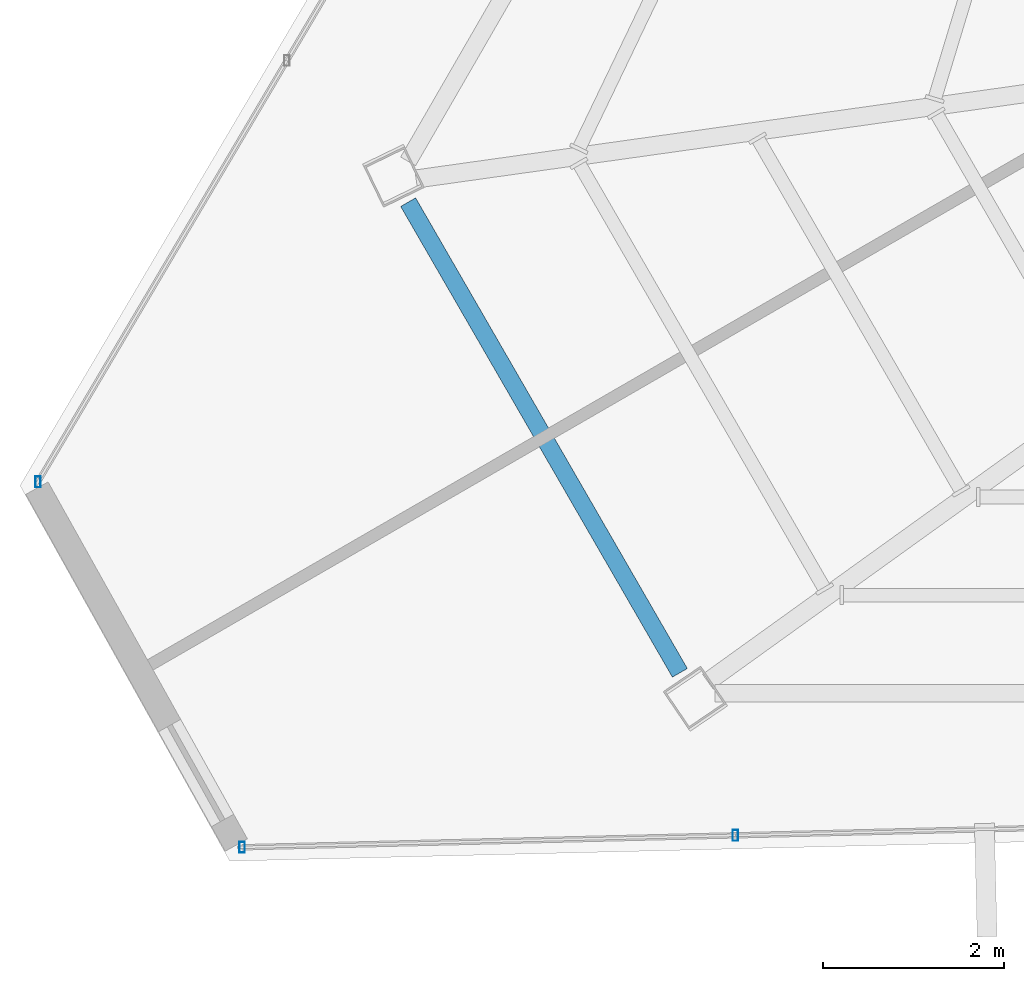
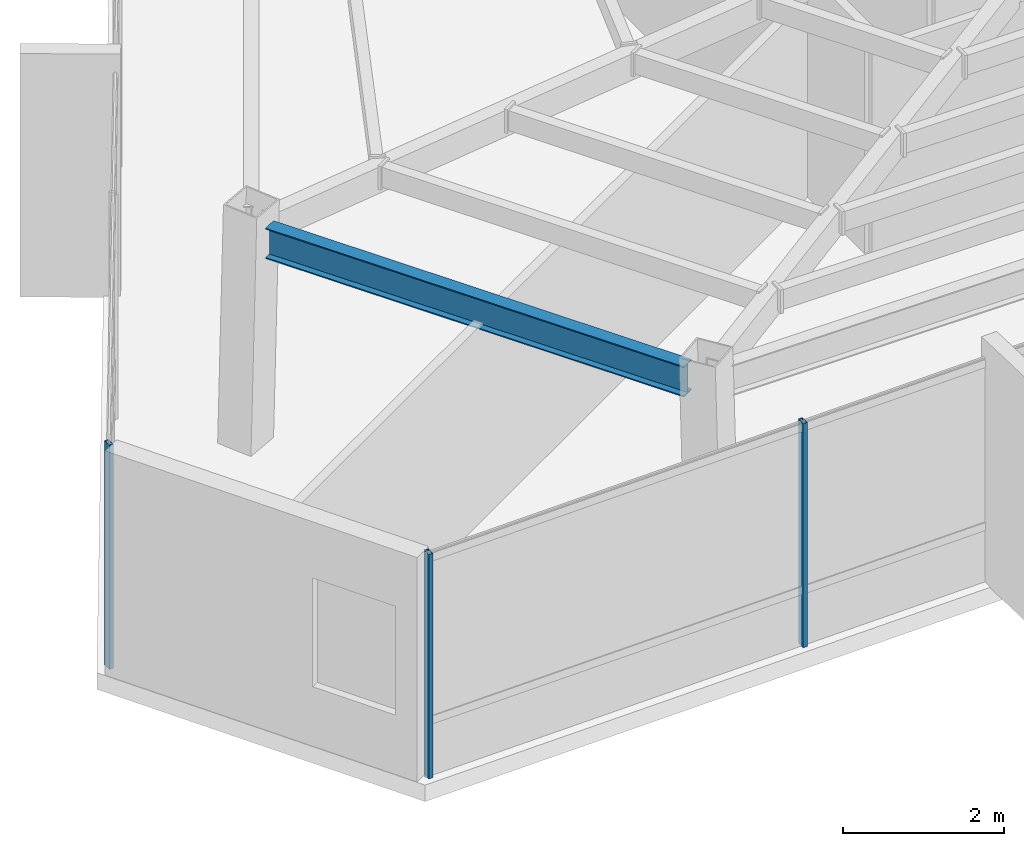
# One storey, part 3 of 48: 3 members, 1 beam, 2 elements without a shape of their own.
"""IFC4 building model written with IfcOpenShell, lengths in metres."""

import ifcopenshell
import ifcopenshell.guid

model = None  # the IFC model being written
_history = None  # IfcOwnerHistory: only IFC2X3 demands one
_inside = {}  # id of a spatial element -> (the spatial element, [elements in it])
_under = {}  # id of a project, library or spatial element -> (it, [spatial elements below it])
_declared = {}  # id of a project -> (the project, [libraries it declares])
_typed = {}  # id of a type object -> (the type object, [elements of that type])
_made_of = {}  # id of a material, layer set ... -> (it, [elements and type objects made of it])


def new_model(schema):
    """Start an empty IFC model of exactly this schema.

    Asked for "IFC4X3", IfcOpenShell would pick the latest addendum, in which some entities
    have other attributes; the version numbers below select the first issue.
    IFC2X3 requires an IfcOwnerHistory on every rooted entity: one is made here for all.
    """
    global model, _history
    if schema == "IFC4X3":
        model = ifcopenshell.file(schema_version=(4, 3, 0, 0))
    else:
        model = ifcopenshell.file(schema=schema)
    _inside.clear()
    _under.clear()
    _declared.clear()
    _typed.clear()
    _made_of.clear()
    _history = None
    if model.schema == "IFC2X3":
        org = make("IfcOrganization", Name="unknown")
        user = make(
            "IfcPersonAndOrganization",
            ThePerson=make("IfcPerson", FamilyName="unknown"),
            TheOrganization=org,
        )
        app = make(
            "IfcApplication",
            ApplicationDeveloper=org,
            Version="unknown",
            ApplicationFullName="unknown",
            ApplicationIdentifier="unknown",
        )
        _history = make(
            "IfcOwnerHistory",
            OwningUser=user,
            OwningApplication=app,
            ChangeAction="ADDED",
            CreationDate=0,
        )
    return model


def make(cls, **values):
    """One entity of the class cls with the attributes given. An attribute that is None is left unset."""
    return model.create_entity(
        cls, **{name: value for name, value in values.items() if value is not None}
    )


def rooted(cls, **values):
    """An entity with a GlobalId (a new one), such as an element, a storey or a relation."""
    return make(cls, GlobalId=ifcopenshell.guid.new(), OwnerHistory=_history, **values)


def si_unit(unit_type, name, prefix=None):
    """IfcSIUnit, for example si_unit("LENGTHUNIT", "METRE", prefix="MILLI")."""
    return make("IfcSIUnit", UnitType=unit_type, Prefix=prefix, Name=name)


def assignment(units):
    """IfcUnitAssignment: the units of a project."""
    return None if units is None else make("IfcUnitAssignment", Units=units)


def point(xyz):
    """IfcCartesianPoint."""
    return None if xyz is None else make("IfcCartesianPoint", Coordinates=xyz)


def direction(xyz):
    """IfcDirection."""
    return None if xyz is None else make("IfcDirection", DirectionRatios=xyz)


def frame(location, z_axis=None, x_axis=None):
    """IfcAxis2Placement3D, a coordinate frame: its origin and axes. An axis left out is left unset."""
    return make(
        "IfcAxis2Placement3D",
        Location=point(location),
        Axis=direction(z_axis),
        RefDirection=direction(x_axis),
    )


def frame_2d(location, x_axis=None):
    """IfcAxis2Placement2D, a coordinate frame in the plane: its origin and x axis."""
    return make(
        "IfcAxis2Placement2D", Location=point(location), RefDirection=direction(x_axis)
    )


def origin():
    """The frame at (0, 0, 0) with its axes left unset."""
    return frame((0.0, 0.0, 0.0))


def origin_2d():
    """The frame at (0, 0) in the plane with its x axis left unset."""
    return frame_2d((0.0, 0.0))


def place(relative_to, where):
    """IfcLocalPlacement: puts the frame where relative to a parent placement (None: the world)."""
    return make(
        "IfcLocalPlacement", PlacementRelTo=relative_to, RelativePlacement=where
    )


def context(
    kind, dimensions, precision=None, world=None, true_north=None, identifier=None
):
    """IfcGeometricRepresentationContext, for example the 3D "Model" context."""
    return make(
        "IfcGeometricRepresentationContext",
        ContextIdentifier=identifier,
        ContextType=kind,
        CoordinateSpaceDimension=dimensions,
        Precision=precision,
        WorldCoordinateSystem=world,
        TrueNorth=true_north,
    )


def subcontext(parent, identifier, kind, view, scale=None):
    """IfcGeometricRepresentationSubContext, for example "Body" below "Model"."""
    return make(
        "IfcGeometricRepresentationSubContext",
        ContextIdentifier=identifier,
        ContextType=kind,
        ParentContext=parent,
        TargetScale=scale,
        TargetView=view,
    )


def project(units=None, contexts=None):
    """IfcProject with its units and contexts."""
    return rooted(
        "IfcProject",
        Name="project",
        RepresentationContexts=contexts,
        UnitsInContext=assignment(units),
    )


def spatial(cls, under=None, at=None, **own):
    """A site, building, storey or space (cls), placed at a placement, below another one or the project."""
    s = rooted(cls, ObjectPlacement=at, **own)
    if under is not None:
        _under.setdefault(under.id(), (under, []))[1].append(s)
    return s


def profile(cls, at=None, kind="AREA", **sizes):
    """A parametric profile (cls). Its sizes go by their IFC names, for example OverallWidth=200.0."""
    return make(cls, ProfileType=kind, Position=at, **sizes)


def hollow_rectangle(**sizes):
    """IfcRectangleHollowProfileDef."""
    return profile("IfcRectangleHollowProfileDef", **sizes)


def i_section(**sizes):
    """IfcIShapeProfileDef."""
    return profile("IfcIShapeProfileDef", **sizes)


def extrude(swept, where, along, depth):
    """IfcExtrudedAreaSolid: the profile swept, set in the frame where, extruded along a direction by depth."""
    return make(
        "IfcExtrudedAreaSolid",
        SweptArea=swept,
        Position=where,
        ExtrudedDirection=direction(along),
        Depth=depth,
    )


def shape(context_of_items, identifier, shape_type, items):
    """IfcShapeRepresentation: the items that make up one representation, for example the "Body"."""
    return make(
        "IfcShapeRepresentation",
        ContextOfItems=context_of_items,
        RepresentationIdentifier=identifier,
        RepresentationType=shape_type,
        Items=items,
    )


def source(mapping_origin, context_of_items, identifier, shape_type, items):
    """IfcRepresentationMap: a shape defined once, which mapped items show again and again."""
    return make(
        "IfcRepresentationMap",
        MappingOrigin=mapping_origin,
        MappedRepresentation=shape(context_of_items, identifier, shape_type, items),
    )


def transform(
    local_origin,
    x_axis=None,
    y_axis=None,
    z_axis=None,
    scale=None,
    scale2=None,
    scale3=None,
    uniform=True,
):
    """IfcCartesianTransformationOperator3D, or its non-uniform kind. x_axis, y_axis, z_axis: its Axis1, 2, 3."""
    if uniform:
        return make(
            "IfcCartesianTransformationOperator3D",
            Axis1=direction(x_axis),
            Axis2=direction(y_axis),
            LocalOrigin=point(local_origin),
            Scale=scale,
            Axis3=direction(z_axis),
        )
    return make(
        "IfcCartesianTransformationOperator3DnonUniform",
        Axis1=direction(x_axis),
        Axis2=direction(y_axis),
        LocalOrigin=point(local_origin),
        Scale=scale,
        Axis3=direction(z_axis),
        Scale2=scale2,
        Scale3=scale3,
    )


def mapped(mapping_source, mapping_target):
    """IfcMappedItem: shows the shape of a source again, moved by a transform."""
    return make(
        "IfcMappedItem", MappingSource=mapping_source, MappingTarget=mapping_target
    )


def material(Name=None, Category=None):
    """IfcMaterial."""
    return make("IfcMaterial", Name=Name, Category=Category)


def material_profile(
    of_material, cross_section, Name=None, Category=None, Priority=None
):
    """IfcMaterialProfile: a cross section and its material."""
    return make(
        "IfcMaterialProfile",
        Name=Name,
        Material=of_material,
        Profile=cross_section,
        Priority=Priority,
        Category=Category,
    )


def profile_set(profiles, Name=None, composite=None):
    """IfcMaterialProfileSet."""
    return make(
        "IfcMaterialProfileSet",
        Name=Name,
        MaterialProfiles=profiles,
        CompositeProfile=composite,
    )


def made_of(thing, what):
    """Note that an element or type object is made of a material, layer set ...; save() writes the relation."""
    if what is not None:
        _made_of.setdefault(what.id(), (what, []))[1].append(thing)
    return thing


def type_object(cls, material=None, **own):
    """A type object (cls), such as IfcWallType, which elements share."""
    return made_of(rooted(cls, **own), material)


def type_shapes(of_type, sources):
    """Give a type object the sources (RepresentationMaps) that its elements show as mapped items."""
    of_type.RepresentationMaps = sources


def element(
    cls,
    number,
    at=None,
    inside=None,
    cuts=None,
    type_object=None,
    material=None,
    context=None,
    identifier="Body",
    shape_type=None,
    held_by="IfcProductDefinitionShape",
    body=None,
    shapes=None,
    **own,
):
    """One element of the class cls, such as IfcWall. Its Tag is "e" and its number.

    at: its placement. inside: the storey or other place that contains it. cuts: it is an
    opening in that element (IfcRelVoidsElement). A single representation is given by context,
    identifier, shape_type and body (its items); several are given by shapes. held_by: the class
    of the entity that holds the representations. save() writes the other relations.
    """
    e = rooted(cls, Tag="e%d" % number, ObjectPlacement=at, **own)
    if body is not None:
        shapes = [shape(context, identifier, shape_type, body)]
    if shapes is not None:
        e.Representation = make(held_by, Representations=shapes)
    if inside is not None:
        _inside.setdefault(inside.id(), (inside, []))[1].append(e)
    if cuts is not None:
        rooted(
            "IfcRelVoidsElement", RelatingBuildingElement=cuts, RelatedOpeningElement=e
        )
    if type_object is not None:
        _typed.setdefault(type_object.id(), (type_object, []))[1].append(e)
    return made_of(e, material)


def aggregate(whole, parts):
    """IfcRelAggregates: a whole, such as a stair, and the parts it consists of."""
    return rooted("IfcRelAggregates", RelatingObject=whole, RelatedObjects=parts)


def save(model, path):
    """Write the relations noted so far, then the file.

    IfcRelAggregates (storeys below a building ...), IfcRelContainedInSpatialStructure (elements
    in a storey), IfcRelDefinesByType, IfcRelAssociatesMaterial and IfcRelDeclares: one each for
    every whole, place, type object, material and project.
    """
    for whole, parts in _under.values():
        aggregate(whole, parts)
    for where, things in _inside.values():
        rooted(
            "IfcRelContainedInSpatialStructure",
            RelatedElements=things,
            RelatingStructure=where,
        )
    for kind, things in _typed.values():
        rooted("IfcRelDefinesByType", RelatedObjects=things, RelatingType=kind)
    for what, things in _made_of.values():
        rooted("IfcRelAssociatesMaterial", RelatedObjects=things, RelatingMaterial=what)
    for by, libraries in _declared.values():
        rooted("IfcRelDeclares", RelatingContext=by, RelatedDefinitions=libraries)
    model.write(path)


model = new_model("IFC4")

# Units and contexts
model_context = context("Model", 3, precision=1e-05, world=origin(), true_north=direction((0.0, 1.0)))
body_context = subcontext(model_context, "Body", "Model", "MODEL_VIEW")
ifc_project = project(units=[si_unit("LENGTHUNIT", "METRE"), si_unit("AREAUNIT", "SQUARE_METRE"), si_unit("VOLUMEUNIT", "CUBIC_METRE"), si_unit("PLANEANGLEUNIT", "RADIAN"), si_unit("MASSUNIT", "GRAM", prefix="KILO")], contexts=[model_context])

# Site, building, storey
site_placement = place(None, origin())
site = spatial("IfcSite", under=ifc_project, at=site_placement, CompositionType="ELEMENT")
building_placement = place(site_placement, origin())
building = spatial("IfcBuilding", under=site, at=building_placement, Name="Caelisora Broadcast Tower", CompositionType="ELEMENT")
storey_placement = place(building_placement, frame((0.0, 0.0, 277.300048828125)))
storey = spatial("IfcBuildingStorey", under=building, at=storey_placement, Name="L73", CompositionType="ELEMENT", Elevation=277.300048828125)

# Beam
ifc_material_1 = material(Name="Steel Grade 350 (AS/NZS 3679.1)", Category="steel")
ifc_material_profile_1 = material_profile(ifc_material_1, i_section(OverallWidth=0.19091796875, OverallDepth=0.46044921875, WebThickness=0.010009765625, FlangeThickness=0.01611328125, at=origin_2d()), Name="Steel Grade 350 (AS/NZS 3679.1)")
ifc_profile_set_1 = profile_set([ifc_material_profile_1], Name="Steel Grade 350 (AS/NZS 3679.1)")
beam_type = type_object("IfcBeamType", Name="PG06", PredefinedType="BEAM", material=ifc_profile_set_1)
shared_shape_1 = source(origin(), body_context, "Body", "SweptSolid", [
    extrude(i_section(OverallWidth=0.19091796875, OverallDepth=0.46044921875, WebThickness=0.010009765625, FlangeThickness=0.01611328125, at=origin_2d()), origin(), (0.0, 0.0, 1.0), 5.9990234375),
])
type_shapes(beam_type, [shared_shape_1])
beam_placement = place(storey_placement, frame((16.825927734375, 15.23876953125, 3.169677734375), z_axis=(0.499999580976, -0.866025645708, 0.0), x_axis=(0.866025645708, 0.499999580976, 0.0)))
element("IfcBeam", 1, at=beam_placement, inside=storey, type_object=beam_type, Name="L73 beam PG06", PredefinedType="BEAM", context=body_context, shape_type="MappedRepresentation", body=[
    mapped(shared_shape_1, transform((0.0, 0.0, 0.0), scale=1.0)),
])

# Curtain wall, members
ifc_material_2 = material(Name="Unitised Aluminium and Low-E Glass Curtain Wall", Category="glass")
curtain_wall_type = type_object("IfcCurtainWallType", Name="CW-Z5", PredefinedType="NOTDEFINED", material=ifc_material_2)
curtain_wall_1_placement = place(storey_placement, origin())
curtain_wall_1 = element("IfcCurtainWall", 2, at=curtain_wall_1_placement, inside=storey, type_object=curtain_wall_type, Name="L73 curtain wall CW-Z5", PredefinedType="NOTDEFINED")
ifc_material_3 = material(Name="Aluminium 6063-T6 Anodised Terracotta Bronze", Category="aluminium")
ifc_material_profile_2 = material_profile(ifc_material_3, hollow_rectangle(XDim=0.06005859375, YDim=0.1201171875, WallThickness=0.0029296875, at=origin_2d()), Name="Aluminium 6063-T6 Anodised Terracotta Bronze")
ifc_profile_set_2 = profile_set([ifc_material_profile_2], Name="Aluminium 6063-T6 Anodised Terracotta Bronze")
member_type = type_object("IfcMemberType", Name="CWM-04", PredefinedType="MULLION", material=ifc_profile_set_2)
shared_shape_2 = source(origin(), body_context, "Body", "SweptSolid", [
    extrude(hollow_rectangle(XDim=0.06005859375, YDim=0.1201171875, WallThickness=0.0029296875, at=origin_2d()), origin(), (0.0, 0.0, 1.0), 3.39990234375),
])
type_shapes(member_type, [shared_shape_2])
member_1_placement = place(storey_placement, frame((20.43798828125, 8.25, 0.0), z_axis=(0.0, 0.0, 1.0), x_axis=(1.0, 0.0, 0.0)))
member_1 = element("IfcMember", 3, at=member_1_placement, type_object=member_type, Name="L73-CW-B07 mullion #2", PredefinedType="MULLION", context=body_context, shape_type="MappedRepresentation", body=[
    mapped(shared_shape_2, transform((0.0, 0.0, 0.0), scale=1.0)),
])
member_2_placement = place(storey_placement, frame((14.993896484375, 8.1181640625, 0.0), z_axis=(0.0, 0.0, 1.0), x_axis=(1.0, 0.0, 0.0)))
member_2 = element("IfcMember", 4, at=member_2_placement, type_object=member_type, Name="L73-CW-B07 mullion #3", PredefinedType="MULLION", context=body_context, shape_type="MappedRepresentation", body=[
    mapped(shared_shape_2, transform((0.0, 0.0, 0.0), scale=1.0)),
])
aggregate(curtain_wall_1, [member_1, member_2])

# Curtain wall, member
curtain_wall_2_placement = place(storey_placement, origin())
curtain_wall_2 = element("IfcCurtainWall", 5, at=curtain_wall_2_placement, inside=storey, type_object=curtain_wall_type, Name="L73 curtain wall CW-Z5", PredefinedType="NOTDEFINED")
member_3_placement = place(storey_placement, frame((12.740478515625, 12.15087890625, 0.0), z_axis=(0.0, 0.0, 1.0), x_axis=(1.0, 0.0, 0.0)))
member_3 = element("IfcMember", 6, at=member_3_placement, type_object=member_type, Name="L73-CW-B09 mullion #0", PredefinedType="MULLION", context=body_context, shape_type="MappedRepresentation", body=[
    mapped(shared_shape_2, transform((0.0, 0.0, 0.0), scale=1.0)),
])
aggregate(curtain_wall_2, [member_3])

save(model, "model.ifc")
